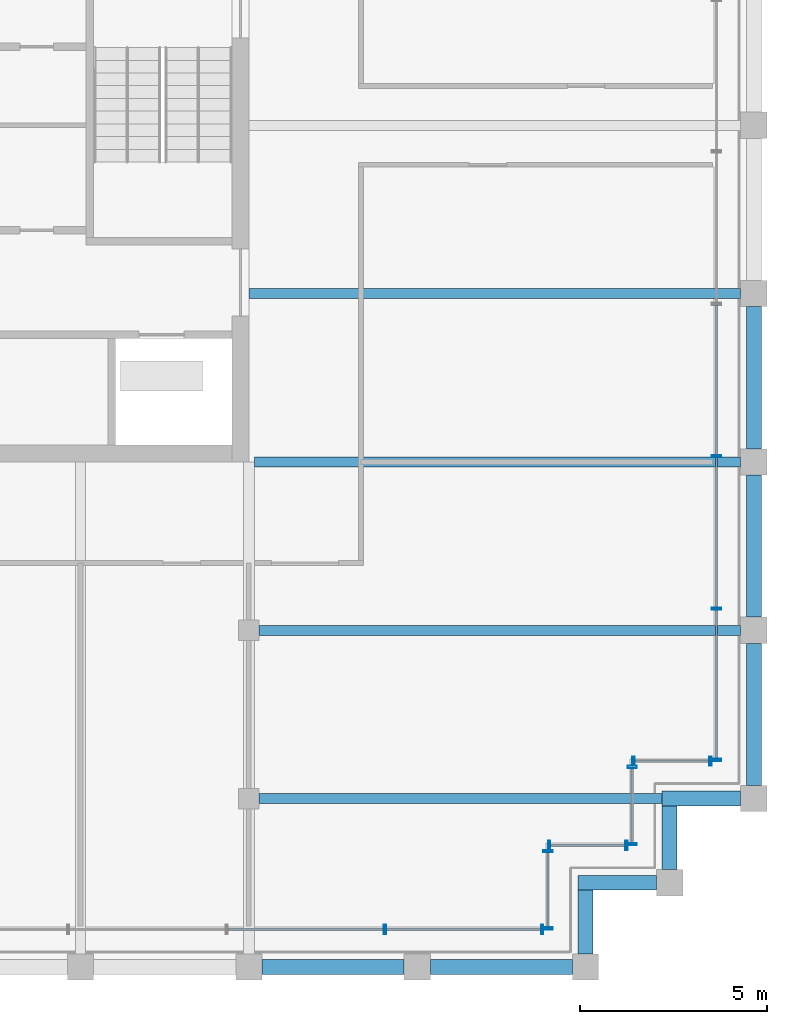
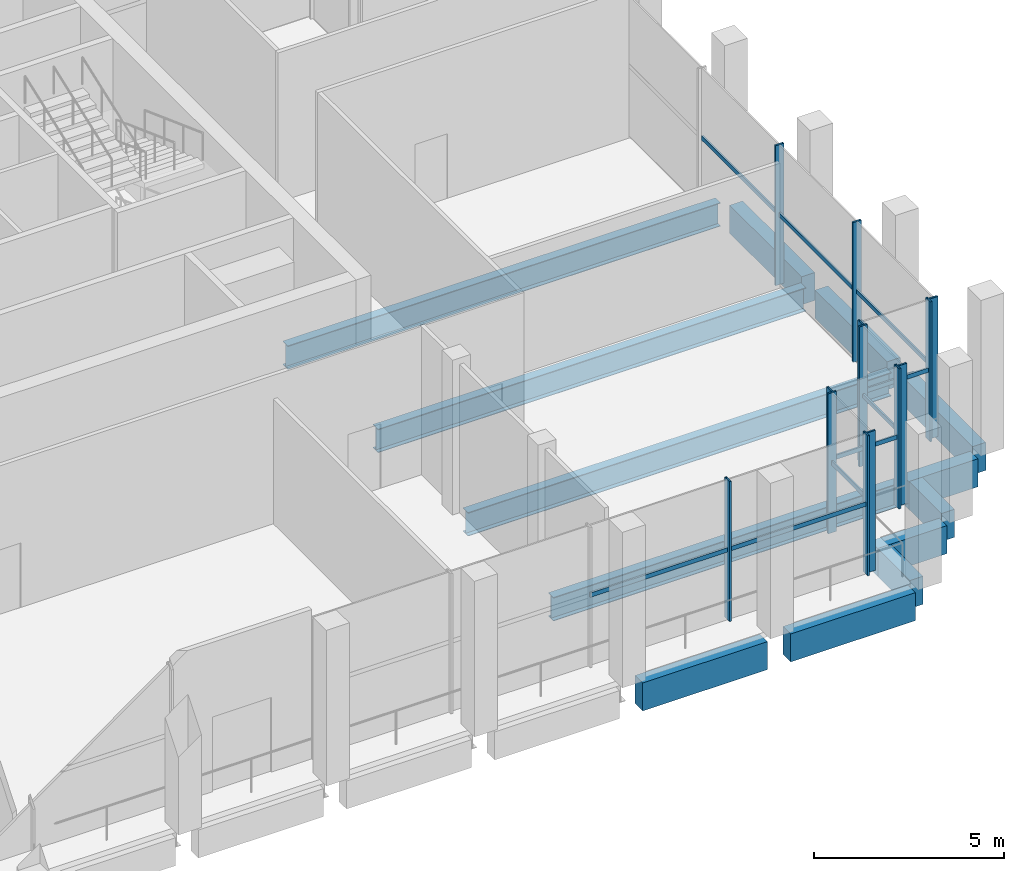
# One storey, part 8 of 14: 22 members, 13 beams, 6 elements without a shape of their own.
"""IFC4 building model written with IfcOpenShell, lengths in metres."""

from ifc_helpers import new_model, si_unit, direction, frame, origin, origin_2d, place, context, subcontext, project, spatial, rectangle, hollow_rectangle, i_section, extrude, material, material_profile, profile_set, type_object, element, aggregate, save


model = new_model("IFC4")

# Units and contexts
model_context = context("Model", 3, precision=1e-05, world=origin(), true_north=direction((0.0, 1.0)))
body_context = subcontext(model_context, "Body", "Model", "MODEL_VIEW")
ifc_project = project(units=[si_unit("LENGTHUNIT", "METRE"), si_unit("AREAUNIT", "SQUARE_METRE"), si_unit("VOLUMEUNIT", "CUBIC_METRE"), si_unit("PLANEANGLEUNIT", "RADIAN"), si_unit("MASSUNIT", "GRAM", prefix="KILO")], contexts=[model_context])

# Site, building, storey
site_placement = place(None, origin())
site = spatial("IfcSite", under=ifc_project, at=site_placement, CompositionType="ELEMENT")
building_placement = place(site_placement, origin())
building = spatial("IfcBuilding", under=site, at=building_placement, Name="Altepetl Exchange Towers", CompositionType="ELEMENT")
storey_placement = place(building_placement, frame((0.0, 0.0, 269.60009765625)))
storey = spatial("IfcBuildingStorey", under=building, at=storey_placement, Name="L68 Observation gallery", CompositionType="ELEMENT", Elevation=269.60009765625)

# Beams
ifc_material_1 = material(Name="Steel S355", Category="steel")
ifc_material_profile_1 = material_profile(ifc_material_1, i_section(OverallWidth=0.26611328125, OverallDepth=0.758056640625, WebThickness=0.013916015625, FlangeThickness=0.019287109375, at=origin_2d()), Name="W30X108")
ifc_profile_set_1 = profile_set([ifc_material_profile_1], Name="Steel S355")
beam_type_1 = type_object("IfcBeamType", Name="Floor beam W30X108", PredefinedType="BEAM", material=ifc_profile_set_1)
beam_1_placement = place(storey_placement, frame((58.77490234375, 31.5, -0.55419921875), z_axis=(1.0, 0.0, 0.0), x_axis=(0.0, 1.0, 0.0)))
element("IfcBeam", 1, at=beam_1_placement, inside=storey, type_object=beam_type_1, Name="bm:A:L68:000", PredefinedType="BEAM", context=body_context, shape_type="SweptSolid", body=[
    extrude(i_section(OverallWidth=0.26611328125, OverallDepth=0.758056640625, WebThickness=0.013916015625, FlangeThickness=0.019287109375, at=origin_2d()), origin(), (0.0, 0.0, 1.0), 10.775146484375),
])
beam_2_placement = place(storey_placement, frame((58.77490234375, 36.0, -0.55419921875), z_axis=(1.0, 0.0, 0.0), x_axis=(0.0, 1.0, 0.0)))
element("IfcBeam", 2, at=beam_2_placement, inside=storey, type_object=beam_type_1, Name="bm:A:L68:001", PredefinedType="BEAM", context=body_context, shape_type="SweptSolid", body=[
    extrude(i_section(OverallWidth=0.26611328125, OverallDepth=0.758056640625, WebThickness=0.013916015625, FlangeThickness=0.019287109375, at=origin_2d()), origin(), (0.0, 0.0, 1.0), 12.875),
])
beam_3_placement = place(storey_placement, frame((58.64697265625, 40.5, -0.55419921875), z_axis=(1.0, 0.0, 0.0), x_axis=(0.0, 1.0, 0.0)))
element("IfcBeam", 3, at=beam_3_placement, inside=storey, type_object=beam_type_1, Name="bm:A:L68:002", PredefinedType="BEAM", context=body_context, shape_type="SweptSolid", body=[
    extrude(i_section(OverallWidth=0.26611328125, OverallDepth=0.758056640625, WebThickness=0.013916015625, FlangeThickness=0.019287109375, at=origin_2d()), origin(), (0.0, 0.0, 1.0), 13.0029296875),
])
beam_4_placement = place(storey_placement, frame((58.5, 45.0, -0.55419921875), z_axis=(1.0, 0.0, 0.0), x_axis=(0.0, 1.0, 0.0)))
element("IfcBeam", 4, at=beam_4_placement, inside=storey, type_object=beam_type_1, Name="bm:A:L68:003", PredefinedType="BEAM", context=body_context, shape_type="SweptSolid", body=[
    extrude(i_section(OverallWidth=0.26611328125, OverallDepth=0.758056640625, WebThickness=0.013916015625, FlangeThickness=0.019287109375, at=origin_2d()), origin(), (0.0, 0.0, 1.0), 13.14990234375),
])

# Curtain wall, members
ifc_material_2 = material(Name="Aluminium 6063-T6 glazing", Category="aluminium")
curtain_wall_type = type_object("IfcCurtainWallType", Name="Executive flush glazing system", PredefinedType="NOTDEFINED", material=ifc_material_2)
curtain_wall_1_placement = place(storey_placement, origin())
curtain_wall_1 = element("IfcCurtainWall", 5, at=curtain_wall_1_placement, inside=storey, type_object=curtain_wall_type, Name="CW4 run", PredefinedType="NOTDEFINED")
ifc_material_3 = material(Name="Aluminium 6063-T6", Category="aluminium")
ifc_material_profile_2 = material_profile(ifc_material_3, hollow_rectangle(XDim=0.06005859375, YDim=0.25, WallThickness=0.0029296875, at=origin_2d()), Name="Mullion 60x250 hollow aluminium")
ifc_profile_set_2 = profile_set([ifc_material_profile_2], Name="Aluminium 6063-T6")
member_type_1 = type_object("IfcMemberType", Name="Mullion 60x250 hollow aluminium", PredefinedType="MULLION", material=ifc_profile_set_2)
member_1_placement = place(storey_placement, frame((62.140625, 28.0, 0.0)))
member_1 = element("IfcMember", 6, at=member_1_placement, type_object=member_type_1, Name="MU3 mullion", PredefinedType="MULLION", context=body_context, shape_type="SweptSolid", body=[
    extrude(hollow_rectangle(XDim=0.06005859375, YDim=0.25, WallThickness=0.0029296875, at=origin_2d()), origin(), (0.0, 0.0, 1.0), 4.5),
])
member_2_placement = place(storey_placement, frame((66.344970703125, 28.0, 0.0)))
member_2 = element("IfcMember", 7, at=member_2_placement, type_object=member_type_1, Name="MU3 mullion", PredefinedType="MULLION", context=body_context, shape_type="SweptSolid", body=[
    extrude(hollow_rectangle(XDim=0.06005859375, YDim=0.25, WallThickness=0.0029296875, at=origin_2d()), origin(), (0.0, 0.0, 1.0), 4.5),
])

curtain_wall_2_placement = place(storey_placement, origin())
curtain_wall_2 = element("IfcCurtainWall", 8, at=curtain_wall_2_placement, inside=storey, type_object=curtain_wall_type, Name="CW4 run", PredefinedType="NOTDEFINED")
member_3_placement = place(storey_placement, frame((66.5, 28.030029296875, 0.0), z_axis=(0.0, 0.0, 1.0), x_axis=(0.0, 1.0, 0.0)))
member_3 = element("IfcMember", 9, at=member_3_placement, type_object=member_type_1, Name="MU3 mullion", PredefinedType="MULLION", context=body_context, shape_type="SweptSolid", body=[
    extrude(hollow_rectangle(XDim=0.06005859375, YDim=0.25, WallThickness=0.0029296875, at=origin_2d()), origin(), (0.0, 0.0, 1.0), 4.5),
])
member_4_placement = place(storey_placement, frame((66.5, 30.094970703125, 0.0), z_axis=(0.0, 0.0, 1.0), x_axis=(0.0, 1.0, 0.0)))
member_4 = element("IfcMember", 10, at=member_4_placement, type_object=member_type_1, Name="MU3 mullion", PredefinedType="MULLION", context=body_context, shape_type="SweptSolid", body=[
    extrude(hollow_rectangle(XDim=0.06005859375, YDim=0.25, WallThickness=0.0029296875, at=origin_2d()), origin(), (0.0, 0.0, 1.0), 4.5),
])

curtain_wall_3_placement = place(storey_placement, origin())
curtain_wall_3 = element("IfcCurtainWall", 11, at=curtain_wall_3_placement, inside=storey, type_object=curtain_wall_type, Name="CW4 run", PredefinedType="NOTDEFINED")
member_5_placement = place(storey_placement, frame((66.530029296875, 30.25, 0.0)))
member_5 = element("IfcMember", 12, at=member_5_placement, type_object=member_type_1, Name="MU3 mullion", PredefinedType="MULLION", context=body_context, shape_type="SweptSolid", body=[
    extrude(hollow_rectangle(XDim=0.06005859375, YDim=0.25, WallThickness=0.0029296875, at=origin_2d()), origin(), (0.0, 0.0, 1.0), 4.5),
])
member_6_placement = place(storey_placement, frame((68.594970703125, 30.25, 0.0)))
member_6 = element("IfcMember", 13, at=member_6_placement, type_object=member_type_1, Name="MU3 mullion", PredefinedType="MULLION", context=body_context, shape_type="SweptSolid", body=[
    extrude(hollow_rectangle(XDim=0.06005859375, YDim=0.25, WallThickness=0.0029296875, at=origin_2d()), origin(), (0.0, 0.0, 1.0), 4.5),
])

curtain_wall_4_placement = place(storey_placement, origin())
curtain_wall_4 = element("IfcCurtainWall", 14, at=curtain_wall_4_placement, inside=storey, type_object=curtain_wall_type, Name="CW4 run", PredefinedType="NOTDEFINED")
member_7_placement = place(storey_placement, frame((68.75, 30.280029296875, 0.0), z_axis=(0.0, 0.0, 1.0), x_axis=(0.0, 1.0, 0.0)))
member_7 = element("IfcMember", 15, at=member_7_placement, type_object=member_type_1, Name="MU3 mullion", PredefinedType="MULLION", context=body_context, shape_type="SweptSolid", body=[
    extrude(hollow_rectangle(XDim=0.06005859375, YDim=0.25, WallThickness=0.0029296875, at=origin_2d()), origin(), (0.0, 0.0, 1.0), 4.5),
])
member_8_placement = place(storey_placement, frame((68.75, 32.344970703125, 0.0), z_axis=(0.0, 0.0, 1.0), x_axis=(0.0, 1.0, 0.0)))
member_8 = element("IfcMember", 16, at=member_8_placement, type_object=member_type_1, Name="MU3 mullion", PredefinedType="MULLION", context=body_context, shape_type="SweptSolid", body=[
    extrude(hollow_rectangle(XDim=0.06005859375, YDim=0.25, WallThickness=0.0029296875, at=origin_2d()), origin(), (0.0, 0.0, 1.0), 4.5),
])

curtain_wall_5_placement = place(storey_placement, origin())
curtain_wall_5 = element("IfcCurtainWall", 17, at=curtain_wall_5_placement, inside=storey, type_object=curtain_wall_type, Name="CW4 run", PredefinedType="NOTDEFINED")
member_9_placement = place(storey_placement, frame((68.780029296875, 32.5, 0.0)))
member_9 = element("IfcMember", 18, at=member_9_placement, type_object=member_type_1, Name="MU3 mullion", PredefinedType="MULLION", context=body_context, shape_type="SweptSolid", body=[
    extrude(hollow_rectangle(XDim=0.06005859375, YDim=0.25, WallThickness=0.0029296875, at=origin_2d()), origin(), (0.0, 0.0, 1.0), 4.5),
])
member_10_placement = place(storey_placement, frame((70.844970703125, 32.5, 0.0)))
member_10 = element("IfcMember", 19, at=member_10_placement, type_object=member_type_1, Name="MU3 mullion", PredefinedType="MULLION", context=body_context, shape_type="SweptSolid", body=[
    extrude(hollow_rectangle(XDim=0.06005859375, YDim=0.25, WallThickness=0.0029296875, at=origin_2d()), origin(), (0.0, 0.0, 1.0), 4.5),
])

curtain_wall_6_placement = place(storey_placement, origin())
curtain_wall_6 = element("IfcCurtainWall", 20, at=curtain_wall_6_placement, inside=storey, type_object=curtain_wall_type, Name="CW4 run", PredefinedType="NOTDEFINED")
member_11_placement = place(storey_placement, frame((71.0, 32.530029296875, 0.0), z_axis=(0.0, 0.0, 1.0), x_axis=(0.0, 1.0, 0.0)))
member_11 = element("IfcMember", 21, at=member_11_placement, type_object=member_type_1, Name="MU3 mullion", PredefinedType="MULLION", context=body_context, shape_type="SweptSolid", body=[
    extrude(hollow_rectangle(XDim=0.06005859375, YDim=0.25, WallThickness=0.0029296875, at=origin_2d()), origin(), (0.0, 0.0, 1.0), 4.5),
])
member_12_placement = place(storey_placement, frame((71.0, 36.574951171875, 0.0), z_axis=(0.0, 0.0, 1.0), x_axis=(0.0, 1.0, 0.0)))
member_12 = element("IfcMember", 22, at=member_12_placement, type_object=member_type_1, Name="MU3 mullion", PredefinedType="MULLION", context=body_context, shape_type="SweptSolid", body=[
    extrude(hollow_rectangle(XDim=0.06005859375, YDim=0.25, WallThickness=0.0029296875, at=origin_2d()), origin(), (0.0, 0.0, 1.0), 4.5),
])
member_13_placement = place(storey_placement, frame((71.0, 40.64990234375, 0.0), z_axis=(0.0, 0.0, 1.0), x_axis=(0.0, 1.0, 0.0)))
member_13 = element("IfcMember", 23, at=member_13_placement, type_object=member_type_1, Name="MU3 mullion", PredefinedType="MULLION", context=body_context, shape_type="SweptSolid", body=[
    extrude(hollow_rectangle(XDim=0.06005859375, YDim=0.25, WallThickness=0.0029296875, at=origin_2d()), origin(), (0.0, 0.0, 1.0), 4.5),
])

# Beams
ifc_material_4 = material(Name="Concrete C50/60 precast with cantera amarilla facing", Category="concrete")
ifc_material_profile_3 = material_profile(ifc_material_4, rectangle(XDim=0.39990234375, YDim=0.89990234375, at=origin_2d()), Name="400 x 900")
ifc_profile_set_3 = profile_set([ifc_material_profile_3], Name="Concrete C50/60 precast with cantera amarilla facing")
beam_type_2 = type_object("IfcBeamType", Name="Spandrel beam 400x900 cantera amarilla", PredefinedType="SPANDREL", material=ifc_profile_set_3)
for number, where, z_axis, x_axis, name in (
    (24, (58.85009765625, 27.0, -0.625), (1.0, 0.0, 0.0), (0.0, 1.0, 0.0), "sp:A:L68:006"),
    (25, (63.35009765625, 27.0, -0.625), (1.0, 0.0, 0.0), (0.0, 1.0, 0.0), "sp:A:L68:007"),
):
    element("IfcBeam", number, at=place(storey_placement, frame(where, z_axis=z_axis, x_axis=x_axis)), inside=storey, type_object=beam_type_2, Name=name, PredefinedType="SPANDREL", context=body_context, shape_type="SweptSolid", body=[
        extrude(rectangle(XDim=0.39990234375, YDim=0.89990234375, at=origin_2d()), origin(), (0.0, 0.0, 1.0), 3.7998046875),
    ])
beam_5_placement = place(storey_placement, frame((67.5, 27.35009765625, -0.625), z_axis=(0.0, 1.0, 0.0), x_axis=(-1.0, 0.0, 0.0)))
element("IfcBeam", 26, at=beam_5_placement, inside=storey, type_object=beam_type_2, Name="sp:A:L68:008", PredefinedType="SPANDREL", context=body_context, shape_type="SweptSolid", body=[
    extrude(rectangle(XDim=0.39990234375, YDim=0.89990234375, at=origin_2d()), origin(), (0.0, 0.0, 1.0), 1.699951171875),
])
beam_6_placement = place(storey_placement, frame((67.300048828125, 29.25, -0.625), z_axis=(1.0, 0.0, 0.0), x_axis=(0.0, 1.0, 0.0)))
element("IfcBeam", 27, at=beam_6_placement, inside=storey, type_object=beam_type_2, Name="sp:A:L68:009", PredefinedType="SPANDREL", context=body_context, shape_type="SweptSolid", body=[
    extrude(rectangle(XDim=0.39990234375, YDim=0.89990234375, at=origin_2d()), origin(), (0.0, 0.0, 1.0), 2.099853515625),
])
beam_7_placement = place(storey_placement, frame((69.75, 29.60009765625, -0.625), z_axis=(0.0, 1.0, 0.0), x_axis=(-1.0, 0.0, 0.0)))
element("IfcBeam", 28, at=beam_7_placement, inside=storey, type_object=beam_type_2, Name="sp:A:L68:010", PredefinedType="SPANDREL", context=body_context, shape_type="SweptSolid", body=[
    extrude(rectangle(XDim=0.39990234375, YDim=0.89990234375, at=origin_2d()), origin(), (0.0, 0.0, 1.0), 1.699951171875),
])
beam_8_placement = place(storey_placement, frame((69.550048828125, 31.5, -0.625), z_axis=(1.0, 0.0, 0.0), x_axis=(0.0, 1.0, 0.0)))
element("IfcBeam", 29, at=beam_8_placement, inside=storey, type_object=beam_type_2, Name="sp:A:L68:011", PredefinedType="SPANDREL", context=body_context, shape_type="SweptSolid", body=[
    extrude(rectangle(XDim=0.39990234375, YDim=0.89990234375, at=origin_2d()), origin(), (0.0, 0.0, 1.0), 2.099853515625),
])
for number, where, z_axis, x_axis, name in (
    (30, (72.0, 31.85009765625, -0.625), (0.0, 1.0, 0.0), (-1.0, 0.0, 0.0), "sp:A:L68:012"),
    (31, (72.0, 36.35009765625, -0.625), (0.0, 1.0, 0.0), (-1.0, 0.0, 0.0), "sp:A:L68:013"),
    (32, (72.0, 40.85009765625, -0.625), (0.0, 1.0, 0.0), (-1.0, 0.0, 0.0), "sp:A:L68:014"),
):
    element("IfcBeam", number, at=place(storey_placement, frame(where, z_axis=z_axis, x_axis=x_axis)), inside=storey, type_object=beam_type_2, Name=name, PredefinedType="SPANDREL", context=body_context, shape_type="SweptSolid", body=[
        extrude(rectangle(XDim=0.39990234375, YDim=0.89990234375, at=origin_2d()), origin(), (0.0, 0.0, 1.0), 3.7998046875),
    ])

# Member
ifc_material_profile_4 = material_profile(ifc_material_3, hollow_rectangle(XDim=0.050048828125, YDim=0.139892578125, WallThickness=0.0029296875, at=origin_2d()), Name="Transom 50x140 hollow aluminium")
ifc_profile_set_4 = profile_set([ifc_material_profile_4], Name="Aluminium 6063-T6")
member_type_2 = type_object("IfcMemberType", Name="Transom 50x140 hollow aluminium", PredefinedType="USERDEFINED", material=ifc_profile_set_4)
member_14_placement = place(storey_placement, frame((57.936279296875, 28.0, 2.25), z_axis=(1.0, 0.0, 0.0), x_axis=(0.0, 1.0, 0.0)))
member_14 = element("IfcMember", 33, at=member_14_placement, type_object=member_type_2, Name="TR2 transom", ObjectType="TRANSOM", PredefinedType="USERDEFINED", context=body_context, shape_type="SweptSolid", body=[
    extrude(hollow_rectangle(XDim=0.050048828125, YDim=0.139892578125, WallThickness=0.0029296875, at=origin_2d()), origin(), (0.0, 0.0, 1.0), 4.17431640625),
])

member_15_placement = place(storey_placement, frame((62.170654296875, 28.0, 2.25), z_axis=(1.0, 0.0, 0.0), x_axis=(0.0, 1.0, 0.0)))
member_15 = element("IfcMember", 34, at=member_15_placement, type_object=member_type_2, Name="TR2 transom", ObjectType="TRANSOM", PredefinedType="USERDEFINED", context=body_context, shape_type="SweptSolid", body=[
    extrude(hollow_rectangle(XDim=0.050048828125, YDim=0.139892578125, WallThickness=0.0029296875, at=origin_2d()), origin(), (0.0, 0.0, 1.0), 4.144287109375),
])

aggregate(curtain_wall_1, [member_1, member_2, member_14, member_15])

member_16_placement = place(storey_placement, frame((66.5, 28.06005859375, 2.25), z_axis=(0.0, 1.0, 0.0), x_axis=(-1.0, 0.0, 0.0)))
member_16 = element("IfcMember", 35, at=member_16_placement, type_object=member_type_2, Name="TR2 transom", ObjectType="TRANSOM", PredefinedType="USERDEFINED", context=body_context, shape_type="SweptSolid", body=[
    extrude(hollow_rectangle(XDim=0.050048828125, YDim=0.139892578125, WallThickness=0.0029296875, at=origin_2d()), origin(), (0.0, 0.0, 1.0), 2.0048828125),
])

aggregate(curtain_wall_2, [member_3, member_4, member_16])

member_17_placement = place(storey_placement, frame((66.56005859375, 30.25, 2.25), z_axis=(1.0, 0.0, 0.0), x_axis=(0.0, 1.0, 0.0)))
member_17 = element("IfcMember", 36, at=member_17_placement, type_object=member_type_2, Name="TR2 transom", ObjectType="TRANSOM", PredefinedType="USERDEFINED", context=body_context, shape_type="SweptSolid", body=[
    extrude(hollow_rectangle(XDim=0.050048828125, YDim=0.139892578125, WallThickness=0.0029296875, at=origin_2d()), origin(), (0.0, 0.0, 1.0), 2.0048828125),
])

aggregate(curtain_wall_3, [member_5, member_6, member_17])

member_18_placement = place(storey_placement, frame((68.75, 30.31005859375, 2.25), z_axis=(0.0, 1.0, 0.0), x_axis=(-1.0, 0.0, 0.0)))
member_18 = element("IfcMember", 37, at=member_18_placement, type_object=member_type_2, Name="TR2 transom", ObjectType="TRANSOM", PredefinedType="USERDEFINED", context=body_context, shape_type="SweptSolid", body=[
    extrude(hollow_rectangle(XDim=0.050048828125, YDim=0.139892578125, WallThickness=0.0029296875, at=origin_2d()), origin(), (0.0, 0.0, 1.0), 2.0048828125),
])

aggregate(curtain_wall_4, [member_7, member_8, member_18])

member_19_placement = place(storey_placement, frame((68.81005859375, 32.5, 2.25), z_axis=(1.0, 0.0, 0.0), x_axis=(0.0, 1.0, 0.0)))
member_19 = element("IfcMember", 38, at=member_19_placement, type_object=member_type_2, Name="TR2 transom", ObjectType="TRANSOM", PredefinedType="USERDEFINED", context=body_context, shape_type="SweptSolid", body=[
    extrude(hollow_rectangle(XDim=0.050048828125, YDim=0.139892578125, WallThickness=0.0029296875, at=origin_2d()), origin(), (0.0, 0.0, 1.0), 2.0048828125),
])

aggregate(curtain_wall_5, [member_9, member_10, member_19])

member_20_placement = place(storey_placement, frame((71.0, 32.56005859375, 2.25), z_axis=(0.0, 1.0, 0.0), x_axis=(-1.0, 0.0, 0.0)))
member_20 = element("IfcMember", 39, at=member_20_placement, type_object=member_type_2, Name="TR2 transom", ObjectType="TRANSOM", PredefinedType="USERDEFINED", context=body_context, shape_type="SweptSolid", body=[
    extrude(hollow_rectangle(XDim=0.050048828125, YDim=0.139892578125, WallThickness=0.0029296875, at=origin_2d()), origin(), (0.0, 0.0, 1.0), 3.98486328125),
])

member_21_placement = place(storey_placement, frame((71.0, 36.60498046875, 2.25), z_axis=(0.0, 1.0, 0.0), x_axis=(-1.0, 0.0, 0.0)))
member_21 = element("IfcMember", 40, at=member_21_placement, type_object=member_type_2, Name="TR2 transom", ObjectType="TRANSOM", PredefinedType="USERDEFINED", context=body_context, shape_type="SweptSolid", body=[
    extrude(hollow_rectangle(XDim=0.050048828125, YDim=0.139892578125, WallThickness=0.0029296875, at=origin_2d()), origin(), (0.0, 0.0, 1.0), 4.01513671875),
])

member_22_placement = place(storey_placement, frame((71.0, 40.679931640625, 2.25), z_axis=(0.0, 1.0, 0.0), x_axis=(-1.0, 0.0, 0.0)))
member_22 = element("IfcMember", 41, at=member_22_placement, type_object=member_type_2, Name="TR2 transom", ObjectType="TRANSOM", PredefinedType="USERDEFINED", context=body_context, shape_type="SweptSolid", body=[
    extrude(hollow_rectangle(XDim=0.050048828125, YDim=0.139892578125, WallThickness=0.0029296875, at=origin_2d()), origin(), (0.0, 0.0, 1.0), 4.01513671875),
])

aggregate(curtain_wall_6, [member_11, member_12, member_13, member_20, member_21, member_22])

save(model, "model.ifc")
